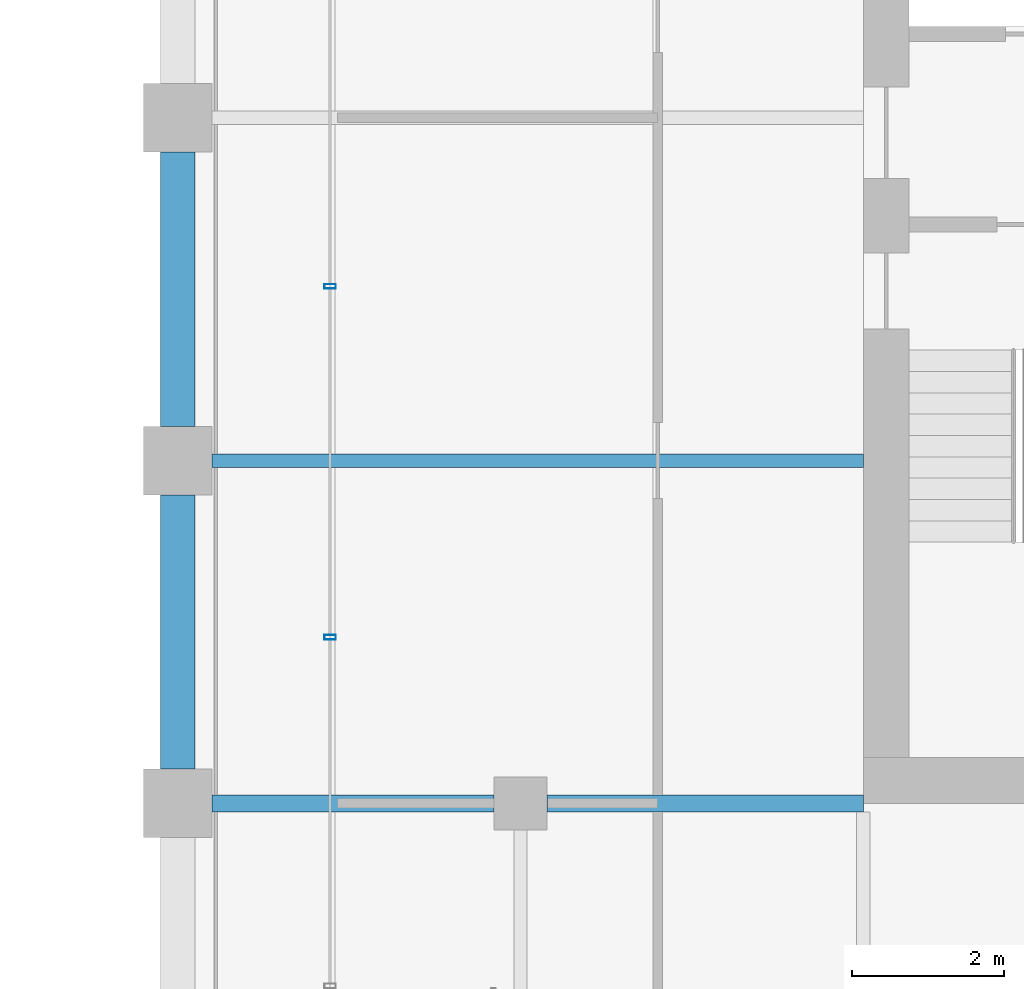
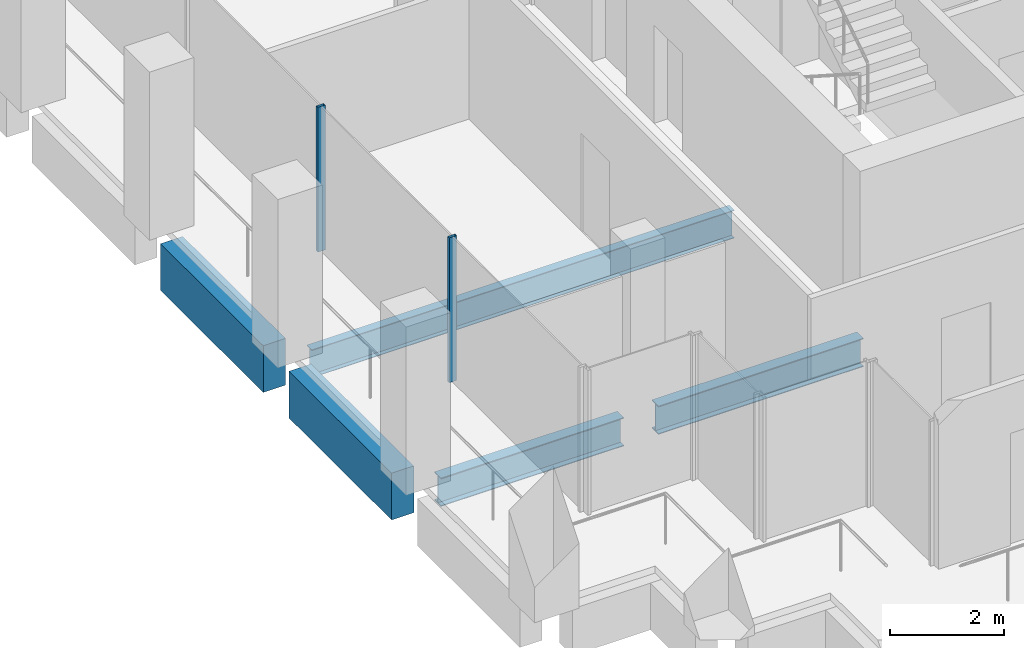
# One storey, part 30 of 40: 5 beams, 2 members, 1 element without a shape of its own.
"""IFC4 building model written with IfcOpenShell, lengths in metres."""

from ifc_helpers import new_model, si_unit, direction, frame, origin, origin_2d, place, context, subcontext, project, spatial, rectangle, hollow_rectangle, i_section, extrude, material, material_profile, profile_set, type_object, element, aggregate, save


model = new_model("IFC4")

# Units and contexts
model_context = context("Model", 3, precision=1e-05, world=origin(), true_north=direction((0.0, 1.0)))
body_context = subcontext(model_context, "Body", "Model", "MODEL_VIEW")
ifc_project = project(units=[si_unit("LENGTHUNIT", "METRE"), si_unit("AREAUNIT", "SQUARE_METRE"), si_unit("VOLUMEUNIT", "CUBIC_METRE"), si_unit("PLANEANGLEUNIT", "RADIAN"), si_unit("MASSUNIT", "GRAM", prefix="KILO")], contexts=[model_context])

# Site, building, storey
site_placement = place(None, origin())
site = spatial("IfcSite", under=ifc_project, at=site_placement, CompositionType="ELEMENT")
building_placement = place(site_placement, origin())
building = spatial("IfcBuilding", under=site, at=building_placement, Name="Altepetl Exchange Towers", CompositionType="ELEMENT")
storey_placement = place(building_placement, frame((0.0, 0.0, 161.800048828125)))
storey = spatial("IfcBuildingStorey", under=building, at=storey_placement, Name="L40", CompositionType="ELEMENT", Elevation=161.800048828125)

# Beams
ifc_material_1 = material(Name="Steel S355", Category="steel")
ifc_material_profile_1 = material_profile(ifc_material_1, i_section(OverallWidth=0.177978515625, OverallDepth=0.59912109375, WebThickness=0.010009765625, FlangeThickness=0.0126953125, at=origin_2d()), Name="W24X55")
ifc_profile_set_1 = profile_set([ifc_material_profile_1], Name="Steel S355")
beam_type_1 = type_object("IfcBeamType", Name="Floor beam W24X55", PredefinedType="BEAM", material=ifc_profile_set_1)
beam_1_placement = place(storey_placement, frame((94.949951171875, 40.5, -0.449462890625), z_axis=(1.0, 0.0, 0.0), x_axis=(0.0, 1.0, 0.0)))
element("IfcBeam", 1, at=beam_1_placement, inside=storey, type_object=beam_type_1, Name="bm:B:L40:004", PredefinedType="BEAM", context=body_context, shape_type="SweptSolid", body=[
    extrude(i_section(OverallWidth=0.177978515625, OverallDepth=0.59912109375, WebThickness=0.010009765625, FlangeThickness=0.0126953125, at=origin_2d()), origin(), (0.0, 0.0, 1.0), 8.550048828125),
])
ifc_material_profile_2 = material_profile(ifc_material_1, i_section(OverallWidth=0.22802734375, OverallDepth=0.60791015625, WebThickness=0.01123046875, FlangeThickness=0.017333984375, at=origin_2d()), Name="W24X76")
ifc_profile_set_2 = profile_set([ifc_material_profile_2], Name="Steel S355")
beam_type_2 = type_object("IfcBeamType", Name="Girder W24X76", PredefinedType="BEAM", material=ifc_profile_set_2)
beam_2_placement = place(storey_placement, frame((103.5, 36.0, -0.4541015625), z_axis=(-1.0, 0.0, 0.0), x_axis=(0.0, -1.0, 0.0)))
element("IfcBeam", 2, at=beam_2_placement, inside=storey, type_object=beam_type_2, Name="gd:B:L40:000", PredefinedType="BEAM", context=body_context, shape_type="SweptSolid", body=[
    extrude(i_section(OverallWidth=0.22802734375, OverallDepth=0.60791015625, WebThickness=0.01123046875, FlangeThickness=0.017333984375, at=origin_2d()), origin(), (0.0, 0.0, 1.0), 4.14990234375),
])
beam_3_placement = place(storey_placement, frame((98.64990234375, 36.0, -0.4541015625), z_axis=(-1.0, 0.0, 0.0), x_axis=(0.0, -1.0, 0.0)))
element("IfcBeam", 3, at=beam_3_placement, inside=storey, type_object=beam_type_2, Name="gd:B:L40:001", PredefinedType="BEAM", context=body_context, shape_type="SweptSolid", body=[
    extrude(i_section(OverallWidth=0.22802734375, OverallDepth=0.60791015625, WebThickness=0.01123046875, FlangeThickness=0.017333984375, at=origin_2d()), origin(), (0.0, 0.0, 1.0), 3.699951171875),
])

# Curtain wall, members
ifc_material_2 = material(Name="Aluminium 6063-T6 glazing", Category="aluminium")
curtain_wall_type = type_object("IfcCurtainWallType", Name="Loggia glazing system", PredefinedType="NOTDEFINED", material=ifc_material_2)
curtain_wall_placement = place(storey_placement, origin())
curtain_wall = element("IfcCurtainWall", 4, at=curtain_wall_placement, inside=storey, type_object=curtain_wall_type, Name="CW1 run", PredefinedType="NOTDEFINED")
ifc_material_3 = material(Name="Aluminium 6063-T6", Category="aluminium")
ifc_material_profile_3 = material_profile(ifc_material_3, hollow_rectangle(XDim=0.06005859375, YDim=0.14990234375, WallThickness=0.0029296875, at=origin_2d()), Name="Mullion 60x150 aluminium")
ifc_profile_set_3 = profile_set([ifc_material_profile_3], Name="Aluminium 6063-T6")
member_type = type_object("IfcMemberType", Name="Mullion 60x150 aluminium", PredefinedType="MULLION", material=ifc_profile_set_3)
member_1_placement = place(storey_placement, frame((96.5, 42.78759765625, 0.0), z_axis=(0.0, 0.0, 1.0), x_axis=(0.0, -1.0, 0.0)))
member_1 = element("IfcMember", 5, at=member_1_placement, type_object=member_type, Name="MU1 mullion", PredefinedType="MULLION", context=body_context, shape_type="SweptSolid", body=[
    extrude(hollow_rectangle(XDim=0.06005859375, YDim=0.14990234375, WallThickness=0.0029296875, at=origin_2d()), origin(), (0.0, 0.0, 1.0), 3.099853515625),
])
member_2_placement = place(storey_placement, frame((96.5, 38.18115234375, 0.0), z_axis=(0.0, 0.0, 1.0), x_axis=(0.0, -1.0, 0.0)))
member_2 = element("IfcMember", 6, at=member_2_placement, type_object=member_type, Name="MU1 mullion", PredefinedType="MULLION", context=body_context, shape_type="SweptSolid", body=[
    extrude(hollow_rectangle(XDim=0.06005859375, YDim=0.14990234375, WallThickness=0.0029296875, at=origin_2d()), origin(), (0.0, 0.0, 1.0), 3.099853515625),
])
aggregate(curtain_wall, [member_1, member_2])

# Beams
ifc_material_4 = material(Name="Concrete C50/60 precast with cantera rosa facing", Category="concrete")
ifc_material_profile_4 = material_profile(ifc_material_4, rectangle(XDim=0.449951171875, YDim=1.0, at=origin_2d()), Name="450 x 1000")
ifc_profile_set_4 = profile_set([ifc_material_profile_4], Name="Concrete C50/60 precast with cantera rosa facing")
beam_type_3 = type_object("IfcBeamType", Name="Spandrel beam 450x1000 cantera rosa", PredefinedType="SPANDREL", material=ifc_profile_set_4)
for number, where, z_axis, x_axis, name in (
    (7, (94.5, 44.550048828125, -0.650146484375), (0.0, -1.0, 0.0), (1.0, 0.0, 0.0), "sp:B:L40:017"),
    (8, (94.5, 40.050048828125, -0.650146484375), (0.0, -1.0, 0.0), (1.0, 0.0, 0.0), "sp:B:L40:018"),
):
    element("IfcBeam", number, at=place(storey_placement, frame(where, z_axis=z_axis, x_axis=x_axis)), inside=storey, type_object=beam_type_3, Name=name, PredefinedType="SPANDREL", context=body_context, shape_type="SweptSolid", body=[
        extrude(rectangle(XDim=0.449951171875, YDim=1.0, at=origin_2d()), origin(), (0.0, 0.0, 1.0), 3.60009765625),
    ])

save(model, "model.ifc")
